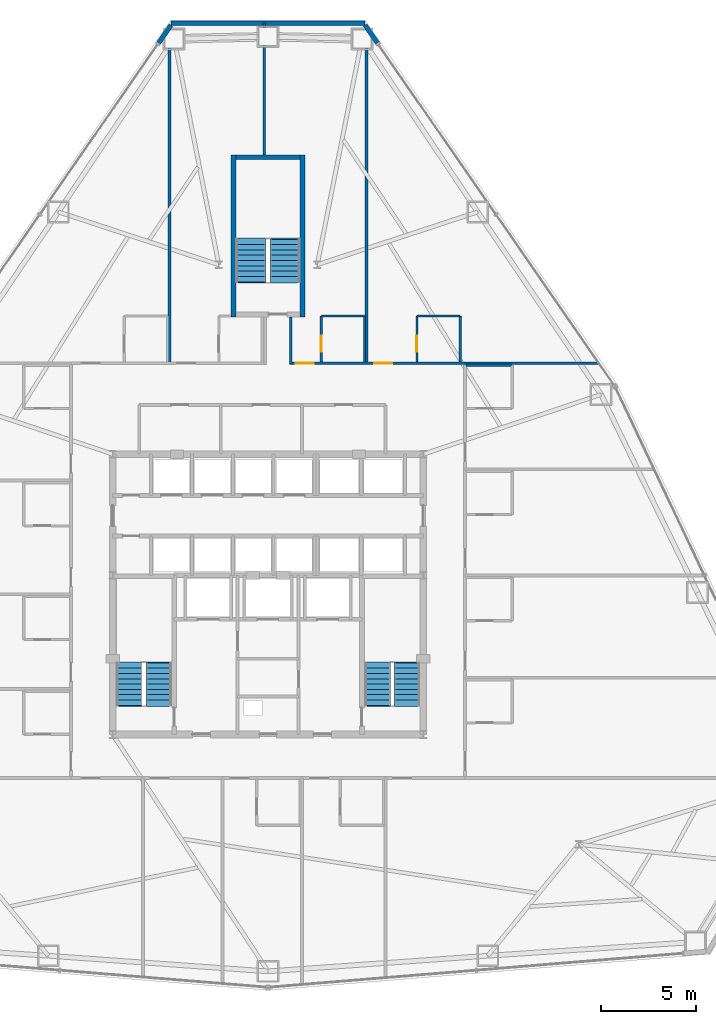
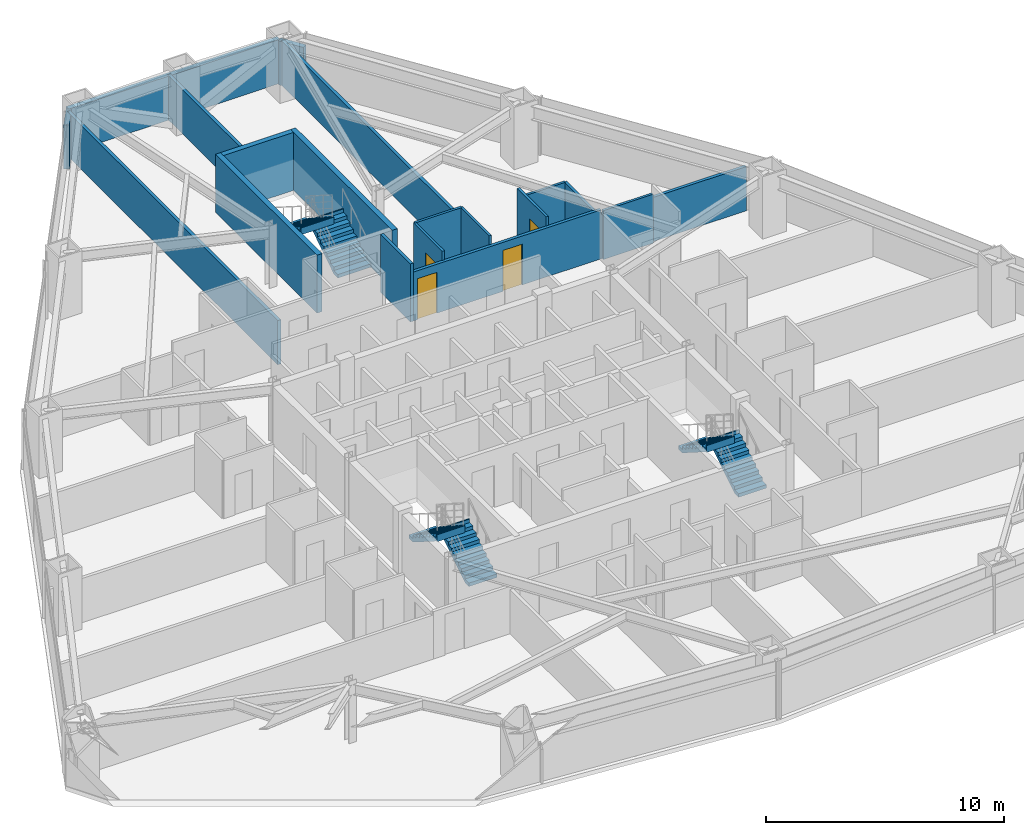
# One storey, part 12 of 13: 19 walls, 6 stair flights, 4 doors, 4 openings, 3 elements without a shape of their own.
"""IFC4 building model written with IfcOpenShell, lengths in metres."""

from ifc_helpers import new_model, si_unit, direction, frame, frame_2d, origin, place, context, subcontext, project, spatial, polyline, rectangle, outline, extrude, material, layer, layer_set, type_object, element, fill, aggregate, save


model = new_model("IFC4")

# Units and contexts
model_context = context("Model", 3, precision=1e-05, world=origin(), true_north=direction((0.0, 1.0)))
body_context = subcontext(model_context, "Body", "Model", "MODEL_VIEW")
ifc_project = project(units=[si_unit("LENGTHUNIT", "METRE"), si_unit("AREAUNIT", "SQUARE_METRE"), si_unit("VOLUMEUNIT", "CUBIC_METRE"), si_unit("PLANEANGLEUNIT", "RADIAN"), si_unit("MASSUNIT", "GRAM", prefix="KILO")], contexts=[model_context])

# Site, building, storey
site_placement = place(None, origin())
site = spatial("IfcSite", under=ifc_project, at=site_placement, CompositionType="ELEMENT")
building_placement = place(site_placement, origin())
building = spatial("IfcBuilding", under=site, at=building_placement, Name="Varakhsha Concourse Tower", CompositionType="ELEMENT")
storey_placement = place(building_placement, frame((0.0, 0.0, 49.60009765625)))
storey = spatial("IfcBuildingStorey", under=building, at=storey_placement, Name="L13", CompositionType="ELEMENT", Elevation=49.60009765625)

# Walls
ifc_material_1 = material(Name="Concrete fc 45 MPa", Category="concrete")
ifc_layer_1 = layer(ifc_material_1, 0.239990234375, Name="WL-EXT-CRN-240")
ifc_layer_set_1 = layer_set([ifc_layer_1], Name="Concrete fc 45 MPa")
wall_type_1 = type_object("IfcWallType", Name="WL-EXT-CRN-240", PredefinedType="SHEAR", material=ifc_layer_set_1)
wall_1_placement = place(storey_placement, frame((34.87158203125, 53.95703125, 0.0), z_axis=(0.0, 0.0, 1.0), x_axis=(1.0, 0.0, 0.0)))
element("IfcWall", 1, at=wall_1_placement, inside=storey, type_object=wall_type_1, Name="L13 Chamfer Wind-Corner Insulated Wall F1", PredefinedType="SHEAR", context=body_context, shape_type="SweptSolid", body=[
    extrude(rectangle(XDim=10.2568359375, YDim=0.239990234375, at=frame_2d((5.12841796875, 0.0))), origin(), (0.0, 0.0, 1.0), 2.262939453125),
])
for number, where, z_axis, x_axis, name in (
    (2, (34.8779296875, 53.84521484375, 0.0), (0.0, 0.0, 1.0), (-0.569057100516, -0.822298009454, 0.0), "L13 Wind-Corner Shoulder Wall F2"),
    (3, (45.78369140625, 52.88916015625, 0.0), (0.0, 0.0, 1.0), (-0.569057100516, 0.822298009454, 0.0), "L13 Wind-Corner Shoulder Wall F9"),
):
    element("IfcWall", number, at=place(storey_placement, frame(where, z_axis=z_axis, x_axis=x_axis)), inside=storey, type_object=wall_type_1, Name=name, PredefinedType="SHEAR", context=body_context, shape_type="SweptSolid", body=[
        extrude(rectangle(XDim=1.16259765625, YDim=0.239990234375, at=frame_2d((0.581298828125, 0.0))), origin(), (0.0, 0.0, 1.0), 2.262939453125),
    ])
ifc_material_2 = material(Name="Acoustic Gypsum Board Partition Assembly", Category="gypsum")
ifc_layer_2 = layer(ifc_material_2, 0.1201171875, Name="WL-PART-120")
ifc_layer_set_2 = layer_set([ifc_layer_2], Name="Acoustic Gypsum Board Partition Assembly")
wall_type_2 = type_object("IfcWallType", Name="WL-PART-120", PredefinedType="PARTITIONING", material=ifc_layer_set_2)
wall_2_placement = place(storey_placement, frame((50.4599609375, 35.889892578125, 0.0), z_axis=(0.0, 0.0, 1.0), x_axis=(1.0, 0.0, 0.0)))
element("IfcWall", 4, at=wall_2_placement, inside=storey, type_object=wall_type_2, Name="L13 Wall ENSW-N-L13-H13", PredefinedType="PARTITIONING", context=body_context, shape_type="SweptSolid", body=[
    extrude(rectangle(XDim=2.429931640625, YDim=0.1201171875, at=frame_2d((1.21484375, 0.0))), origin(), (0.0, 0.0, 1.0), 2.512939453125),
])

# Wall, opening, door
wall_3_placement = place(storey_placement, frame((42.81005859375, 36.06005859375, 0.0), z_axis=(0.0, 0.0, 1.0), x_axis=(0.0, 1.0, 0.0)))
wall_3 = element("IfcWall", 5, at=wall_3_placement, inside=storey, type_object=wall_type_2, Name="L13 Wall ENSW-W-L13-H16", PredefinedType="PARTITIONING", context=body_context, shape_type="SweptSolid", body=[
    extrude(rectangle(XDim=2.429931640625, YDim=0.1201171875, at=frame_2d((1.21484375, 0.0))), origin(), (0.0, 0.0, 1.0), 2.97998046875),
])
opening_1_placement = place(wall_3_placement, frame((0.550048828125, 0.0, 0.0)))
opening_1 = element("IfcOpeningElement", 6, at=opening_1_placement, cuts=wall_3, Name="Opening DI-01", PredefinedType="OPENING", context=body_context, shape_type="SweptSolid", body=[
    extrude(rectangle(XDim=0.85009765625, YDim=2.050048828125, at=frame_2d((0.425048828125, 1.02490234375))), frame((0.0, 0.070068359375, 0.0), z_axis=(0.0, -1.0, 0.0), x_axis=(1.0, 0.0, 0.0)), (0.0, 0.0, 1.0), 0.14013671875),
])
ifc_material_3 = material(Name="Architectural Walnut Acoustic Timber Door", Category="wood")
door_type_1 = type_object("IfcDoorType", Name="DR-INT-850", OperationType="NOTDEFINED", PredefinedType="DOOR", material=ifc_material_3)
door_1_placement = place(opening_1_placement, origin())
door_1 = element("IfcDoor", 7, at=door_1_placement, inside=storey, type_object=door_type_1, Name="L13 En-suite Bathroom Door L13-H16", OperationType="SINGLE_SWING_RIGHT", OverallHeight=2.050048828125, OverallWidth=0.85009765625, PredefinedType="DOOR", context=body_context, shape_type="SweptSolid", body=[
    extrude(rectangle(XDim=0.85009765625, YDim=2.050048828125, at=frame_2d((0.425048828125, 1.02490234375))), frame((0.0, 0.02490234375, 0.0), z_axis=(0.0, -1.0, 0.0), x_axis=(1.0, 0.0, 0.0)), (0.0, 0.0, 1.0), 0.050048828125),
])
fill(opening_1, door_1)

# Walls
wall_4_placement = place(storey_placement, frame((45.090087890625, 36.06005859375, 0.0), z_axis=(0.0, 0.0, 1.0), x_axis=(0.0, 1.0, 0.0)))
element("IfcWall", 8, at=wall_4_placement, inside=storey, type_object=wall_type_2, Name="L13 Wall ENSW-E-L13-H16", PredefinedType="PARTITIONING", context=body_context, shape_type="SweptSolid", body=[
    extrude(rectangle(XDim=2.429931640625, YDim=0.1201171875, at=frame_2d((1.21484375, 0.0))), origin(), (0.0, 0.0, 1.0), 2.97998046875),
])
wall_5_placement = place(storey_placement, frame((42.81005859375, 38.489990234375, 0.0), z_axis=(0.0, 0.0, 1.0), x_axis=(1.0, 0.0, 0.0)))
element("IfcWall", 9, at=wall_5_placement, inside=storey, type_object=wall_type_2, Name="L13 Wall ENSW-N-L13-H16", PredefinedType="PARTITIONING", context=body_context, shape_type="SweptSolid", body=[
    extrude(rectangle(XDim=2.280029296875, YDim=0.1201171875, at=frame_2d((1.14013671875, 0.0))), origin(), (0.0, 0.0, 1.0), 2.97998046875),
])

# Wall, opening, door
wall_6_placement = place(storey_placement, frame((47.860107421875, 36.06005859375, 0.0), z_axis=(0.0, 0.0, 1.0), x_axis=(0.0, 1.0, 0.0)))
wall_6 = element("IfcWall", 10, at=wall_6_placement, inside=storey, type_object=wall_type_2, Name="L13 Wall ENSW-W-L13-H17", PredefinedType="PARTITIONING", context=body_context, shape_type="SweptSolid", body=[
    extrude(rectangle(XDim=2.429931640625, YDim=0.1201171875, at=frame_2d((1.21484375, 0.0))), origin(), (0.0, 0.0, 1.0), 2.97998046875),
])
opening_2_placement = place(wall_6_placement, frame((0.550048828125, 0.0, 0.0)))
opening_2 = element("IfcOpeningElement", 11, at=opening_2_placement, cuts=wall_6, Name="Opening DI-01", PredefinedType="OPENING", context=body_context, shape_type="SweptSolid", body=[
    extrude(rectangle(XDim=0.85009765625, YDim=2.050048828125, at=frame_2d((0.425048828125, 1.02490234375))), frame((0.0, 0.070068359375, 0.0), z_axis=(0.0, -1.0, 0.0), x_axis=(1.0, 0.0, 0.0)), (0.0, 0.0, 1.0), 0.14013671875),
])
door_2_placement = place(opening_2_placement, origin())
door_2 = element("IfcDoor", 12, at=door_2_placement, inside=storey, type_object=door_type_1, Name="L13 En-suite Bathroom Door L13-H17", OperationType="SINGLE_SWING_RIGHT", OverallHeight=2.050048828125, OverallWidth=0.85009765625, PredefinedType="DOOR", context=body_context, shape_type="SweptSolid", body=[
    extrude(rectangle(XDim=0.85009765625, YDim=2.050048828125, at=frame_2d((0.425048828125, 1.02490234375))), frame((0.0, 0.02490234375, 0.0), z_axis=(0.0, -1.0, 0.0), x_axis=(1.0, 0.0, 0.0)), (0.0, 0.0, 1.0), 0.050048828125),
])
fill(opening_2, door_2)

# Walls
wall_7_placement = place(storey_placement, frame((50.139892578125, 36.06005859375, 0.0), z_axis=(0.0, 0.0, 1.0), x_axis=(0.0, 1.0, 0.0)))
element("IfcWall", 13, at=wall_7_placement, inside=storey, type_object=wall_type_2, Name="L13 Wall ENSW-E-L13-H17", PredefinedType="PARTITIONING", context=body_context, shape_type="SweptSolid", body=[
    extrude(rectangle(XDim=2.429931640625, YDim=0.1201171875, at=frame_2d((1.21484375, 0.0))), origin(), (0.0, 0.0, 1.0), 2.512939453125),
])
wall_8_placement = place(storey_placement, frame((47.860107421875, 38.489990234375, 0.0), z_axis=(0.0, 0.0, 1.0), x_axis=(1.0, 0.0, 0.0)))
element("IfcWall", 14, at=wall_8_placement, inside=storey, type_object=wall_type_2, Name="L13 Wall ENSW-N-L13-H17", PredefinedType="PARTITIONING", context=body_context, shape_type="SweptSolid", body=[
    extrude(rectangle(XDim=2.27978515625, YDim=0.1201171875, at=frame_2d((1.139892578125, 0.0))), origin(), (0.0, 0.0, 1.0), 2.512939453125),
])

# Wall, openings, doors
ifc_material_4 = material(Name="Fire-Rated Type X Gypsum Partition Assembly", Category="gypsum")
ifc_layer_3 = layer(ifc_material_4, 0.14990234375, Name="WL-PART-150")
ifc_layer_set_3 = layer_set([ifc_layer_3], Name="Fire-Rated Type X Gypsum Partition Assembly")
wall_type_3 = type_object("IfcWallType", Name="WL-PART-150", PredefinedType="PARTITIONING", material=ifc_layer_set_3)
wall_9_placement = place(storey_placement, frame((41.27490234375, 36.0, 0.0), z_axis=(0.0, 0.0, 1.0), x_axis=(1.0, 0.0, 0.0)))
wall_9 = element("IfcWall", 15, at=wall_9_placement, inside=storey, type_object=wall_type_3, Name="L13 Wall CRW-N-L13-B", PredefinedType="PARTITIONING", context=body_context, shape_type="SweptSolid", body=[
    extrude(rectangle(XDim=9.125, YDim=0.14990234375, at=frame_2d((4.5625, 0.0))), origin(), (0.0, 0.0, 1.0), 2.512939453125),
])
opening_3_placement = place(wall_9_placement, frame((0.199951171875, 0.0, 0.0)))
opening_3 = element("IfcOpeningElement", 16, at=opening_3_placement, cuts=wall_9, Name="Opening DF-05", PredefinedType="OPENING", context=body_context, shape_type="SweptSolid", body=[
    extrude(rectangle(XDim=0.949951171875, YDim=2.10009765625, at=frame_2d((0.47509765625, 1.050048828125))), frame((0.0, 0.0849609375, 0.0), z_axis=(0.0, -1.0, 0.0), x_axis=(1.0, 0.0, 0.0)), (0.0, 0.0, 1.0), 0.169921875),
])
opening_4_placement = place(wall_9_placement, frame((4.344970703125, 0.0, 0.0)))
opening_4 = element("IfcOpeningElement", 17, at=opening_4_placement, cuts=wall_9, Name="Opening DF-05", PredefinedType="OPENING", context=body_context, shape_type="SweptSolid", body=[
    extrude(rectangle(XDim=0.949951171875, YDim=2.10009765625, at=frame_2d((0.47509765625, 1.050048828125))), frame((0.0, 0.0849609375, 0.0), z_axis=(0.0, -1.0, 0.0), x_axis=(1.0, 0.0, 0.0)), (0.0, 0.0, 1.0), 0.169921875),
])
ifc_material_5 = material(Name="Hollow Galvanised Steel Fire Door Assembly", Category="steel")
door_type_2 = type_object("IfcDoorType", Name="DR-FD60-950", OperationType="NOTDEFINED", PredefinedType="DOOR", material=ifc_material_5)
door_3_placement = place(opening_3_placement, origin())
door_3 = element("IfcDoor", 18, at=door_3_placement, inside=storey, type_object=door_type_2, Name="L13 Hotel Corner Suite L13-H16 Entry Door", OperationType="SINGLE_SWING_RIGHT", OverallHeight=2.10009765625, OverallWidth=0.949951171875, PredefinedType="DOOR", context=body_context, shape_type="SweptSolid", body=[
    extrude(rectangle(XDim=0.949951171875, YDim=2.10009765625, at=frame_2d((0.47509765625, 1.050048828125))), frame((0.0, 0.02490234375, 0.0), z_axis=(0.0, -1.0, 0.0), x_axis=(1.0, 0.0, 0.0)), (0.0, 0.0, 1.0), 0.050048828125),
])
fill(opening_3, door_3)
door_4_placement = place(opening_4_placement, origin())
door_4 = element("IfcDoor", 19, at=door_4_placement, inside=storey, type_object=door_type_2, Name="L13 Hotel Corner Suite L13-H17 Entry Door", OperationType="SINGLE_SWING_LEFT", OverallHeight=2.10009765625, OverallWidth=0.949951171875, PredefinedType="DOOR", context=body_context, shape_type="SweptSolid", body=[
    extrude(rectangle(XDim=0.949951171875, YDim=2.10009765625, at=frame_2d((0.47509765625, 1.050048828125))), frame((0.0, 0.02490234375, 0.0), z_axis=(0.0, -1.0, 0.0), x_axis=(1.0, 0.0, 0.0)), (0.0, 0.0, 1.0), 0.050048828125),
])
fill(opening_4, door_4)

# Walls
wall_10_placement = place(storey_placement, frame((50.39990234375, 36.0, 0.0), z_axis=(0.0, 0.0, 1.0), x_axis=(1.0, 0.0, 0.0)))
element("IfcWall", 20, at=wall_10_placement, inside=storey, type_object=wall_type_3, Name="L13 Wall HDIV-EBN-L13", PredefinedType="PARTITIONING", context=body_context, shape_type="SweptSolid", body=[
    extrude(rectangle(XDim=7.0654296875, YDim=0.14990234375, at=frame_2d((3.53271484375, 0.0))), origin(), (0.0, 0.0, 1.0), 2.267822265625),
])
wall_11_placement = place(storey_placement, frame((34.800048828125, 36.0, 0.0), z_axis=(0.0, 0.0, 1.0), x_axis=(0.0, 1.0, 0.0)))
element("IfcWall", 21, at=wall_11_placement, inside=storey, type_object=wall_type_3, Name="L13 Wall HDIV-N1-L13", PredefinedType="PARTITIONING", context=body_context, shape_type="SweptSolid", body=[
    extrude(rectangle(XDim=17.723876953125, YDim=0.14990234375, at=frame_2d((8.86181640625, 0.0))), origin(), (0.0, 0.0, 1.0), 2.267822265625),
])
wall_12_placement = place(storey_placement, frame((39.800048828125, 47.0, 0.0), z_axis=(0.0, 0.0, 1.0), x_axis=(0.0, 1.0, 0.0)))
element("IfcWall", 22, at=wall_12_placement, inside=storey, type_object=wall_type_3, Name="L13 Wall HDIV-N2-L13", PredefinedType="PARTITIONING", context=body_context, shape_type="SweptSolid", body=[
    extrude(rectangle(XDim=6.9521484375, YDim=0.14990234375, at=frame_2d((3.47607421875, 0.0))), origin(), (0.0, 0.0, 1.0), 2.267822265625),
])
wall_13_placement = place(storey_placement, frame((45.199951171875, 36.0, 0.0), z_axis=(0.0, 0.0, 1.0), x_axis=(0.0, 1.0, 0.0)))
element("IfcWall", 23, at=wall_13_placement, inside=storey, type_object=wall_type_3, Name="L13 Wall HDIV-N3-L13", PredefinedType="PARTITIONING", context=body_context, shape_type="SweptSolid", body=[
    extrude(rectangle(XDim=17.723876953125, YDim=0.14990234375, at=frame_2d((8.86181640625, 0.0))), origin(), (0.0, 0.0, 1.0), 2.267822265625),
])
wall_14_placement = place(storey_placement, frame((41.199951171875, 35.925048828125, 0.0), z_axis=(0.0, 0.0, 1.0), x_axis=(0.0, 1.0, 0.0)))
element("IfcWall", 24, at=wall_14_placement, inside=storey, type_object=wall_type_3, Name="L13 Wall STUB-E-L13", PredefinedType="PARTITIONING", context=body_context, shape_type="SweptSolid", body=[
    extrude(rectangle(XDim=2.52490234375, YDim=0.14990234375, at=frame_2d((1.262451171875, 0.0))), origin(), (0.0, 0.0, 1.0), 2.97998046875),
])
ifc_layer_4 = layer(ifc_material_1, 0.25, Name="WL-STAIR-250")
ifc_layer_set_4 = layer_set([ifc_layer_4], Name="Concrete fc 45 MPa")
wall_type_4 = type_object("IfcWallType", Name="WL-STAIR-250", PredefinedType="SHEAR", material=ifc_layer_set_4)
for number, where, z_axis, x_axis, name in (
    (25, (38.175048828125, 38.449951171875, 0.0), (0.0, 0.0, 1.0), (0.0, 1.0, 0.0), "L13 Wall SWALL-ST5-W-L13"),
    (26, (41.824951171875, 38.449951171875, 0.0), (0.0, 0.0, 1.0), (0.0, 1.0, 0.0), "L13 Wall SWALL-ST5-E-L13"),
):
    element("IfcWall", number, at=place(storey_placement, frame(where, z_axis=z_axis, x_axis=x_axis)), inside=storey, type_object=wall_type_4, Name=name, PredefinedType="SHEAR", context=body_context, shape_type="SweptSolid", body=[
        extrude(rectangle(XDim=8.550048828125, YDim=0.25, at=frame_2d((4.27490234375, 0.0))), origin(), (0.0, 0.0, 1.0), 2.97998046875),
    ])
wall_15_placement = place(storey_placement, frame((38.300048828125, 46.875, 0.0), z_axis=(0.0, 0.0, 1.0), x_axis=(1.0, 0.0, 0.0)))
element("IfcWall", 27, at=wall_15_placement, inside=storey, type_object=wall_type_4, Name="L13 Wall SWALL-ST5-N-L13", PredefinedType="SHEAR", context=body_context, shape_type="SweptSolid", body=[
    extrude(rectangle(XDim=3.39990234375, YDim=0.25, at=frame_2d((1.699951171875, 0.0))), origin(), (0.0, 0.0, 1.0), 2.97998046875),
])

# Stair, stair flights
stair_type_1 = type_object("IfcStairType", Name="ST-DOGLEG-1360", PredefinedType="HALF_TURN_STAIR", material=ifc_material_1)
stair_1_placement = place(storey_placement, origin())
stair_1 = element("IfcStair", 28, at=stair_1_placement, inside=storey, type_object=stair_type_1, Name="L13 Protected Exit Stair ST1", PredefinedType="HALF_TURN_STAIR")
stair_flight_type_1 = type_object("IfcStairFlightType", Name="STF-1360-R1778", PredefinedType="STRAIGHT", material=ifc_material_1)
stair_flight_1_placement = place(storey_placement, frame((34.239990234375, 17.93994140625, 0.0), z_axis=(0.0, 0.0, 1.0), x_axis=(0.0, 1.0, 0.0)))
stair_flight_1 = element("IfcStairFlight", 29, at=stair_flight_1_placement, type_object=stair_flight_type_1, Name="ST1 flight 1", NumberOfRisers=9, NumberOfTreads=8, PredefinedType="STRAIGHT", RiserHeight=0.177777778, TreadLength=0.28, context=body_context, shape_type="SweptSolid", body=[
    extrude(outline(polyline([(-0.06005859375, 0.0), (-0.06005859375, 0.177734375), (0.0, 0.177734375), (0.280029296875, 0.177734375), (0.280029296875, 0.35546875), (0.56005859375, 0.35546875), (0.56005859375, 0.533447265625), (0.840087890625, 0.533447265625), (0.840087890625, 0.711181640625), (1.1201171875, 0.711181640625), (1.1201171875, 0.888916015625), (1.39990234375, 0.888916015625), (1.39990234375, 1.066650390625), (1.679931640625, 1.066650390625), (1.679931640625, 1.244384765625), (1.9599609375, 1.244384765625), (1.9599609375, 1.422119140625), (2.239990234375, 1.422119140625), (2.239990234375, 1.60009765625), (2.300048828125, 1.60009765625), (2.300048828125, 1.24462890625), (2.239990234375, 1.24462890625), (0.27978515625, 0.0), (-0.06005859375, 0.0)])), frame((0.0, 0.68017578125, 0.0), z_axis=(0.0, -1.0, 0.0), x_axis=(1.0, 0.0, 0.0)), (0.0, 0.0, 1.0), 1.360107421875),
])
stair_flight_2_placement = place(storey_placement, frame((32.679931640625, 20.179931640625, 1.599853515625), z_axis=(0.0, 0.0, 1.0), x_axis=(0.0, -1.0, 0.0)))
stair_flight_2 = element("IfcStairFlight", 30, at=stair_flight_2_placement, type_object=stair_flight_type_1, Name="ST1 flight 2", NumberOfRisers=9, NumberOfTreads=8, PredefinedType="STRAIGHT", RiserHeight=0.177777778, TreadLength=0.28, context=body_context, shape_type="SweptSolid", body=[
    extrude(outline(polyline([(-0.06005859375, 0.0), (-0.06005859375, 0.177734375), (0.0, 0.177734375), (0.280029296875, 0.177734375), (0.280029296875, 0.35546875), (0.56005859375, 0.35546875), (0.56005859375, 0.533447265625), (0.840087890625, 0.533447265625), (0.840087890625, 0.711181640625), (1.1201171875, 0.711181640625), (1.1201171875, 0.888916015625), (1.39990234375, 0.888916015625), (1.39990234375, 1.066650390625), (1.679931640625, 1.066650390625), (1.679931640625, 1.244384765625), (1.9599609375, 1.244384765625), (1.9599609375, 1.422119140625), (2.239990234375, 1.422119140625), (2.239990234375, 1.60009765625), (2.300048828125, 1.60009765625), (2.300048828125, 1.24462890625), (2.239990234375, 1.24462890625), (0.27978515625, 0.0), (-0.06005859375, 0.0)])), frame((0.0, 0.68017578125, 0.0), z_axis=(0.0, -1.0, 0.0), x_axis=(1.0, 0.0, 0.0)), (0.0, 0.0, 1.0), 1.360107421875),
])
aggregate(stair_1, [stair_flight_1, stair_flight_2])

stair_2_placement = place(storey_placement, origin())
stair_2 = element("IfcStair", 31, at=stair_2_placement, inside=storey, type_object=stair_type_1, Name="L13 Protected Exit Stair ST2", PredefinedType="HALF_TURN_STAIR")
stair_flight_3_placement = place(storey_placement, frame((47.340087890625, 17.93994140625, 0.0), z_axis=(0.0, 0.0, 1.0), x_axis=(0.0, 1.0, 0.0)))
stair_flight_3 = element("IfcStairFlight", 32, at=stair_flight_3_placement, type_object=stair_flight_type_1, Name="ST2 flight 1", NumberOfRisers=9, NumberOfTreads=8, PredefinedType="STRAIGHT", RiserHeight=0.177777778, TreadLength=0.28, context=body_context, shape_type="SweptSolid", body=[
    extrude(outline(polyline([(-0.06005859375, 0.0), (-0.06005859375, 0.177734375), (0.0, 0.177734375), (0.280029296875, 0.177734375), (0.280029296875, 0.35546875), (0.56005859375, 0.35546875), (0.56005859375, 0.533447265625), (0.840087890625, 0.533447265625), (0.840087890625, 0.711181640625), (1.1201171875, 0.711181640625), (1.1201171875, 0.888916015625), (1.39990234375, 0.888916015625), (1.39990234375, 1.066650390625), (1.679931640625, 1.066650390625), (1.679931640625, 1.244384765625), (1.9599609375, 1.244384765625), (1.9599609375, 1.422119140625), (2.239990234375, 1.422119140625), (2.239990234375, 1.60009765625), (2.300048828125, 1.60009765625), (2.300048828125, 1.24462890625), (2.239990234375, 1.24462890625), (0.27978515625, 0.0), (-0.06005859375, 0.0)])), frame((0.0, 0.68017578125, 0.0), z_axis=(0.0, -1.0, 0.0), x_axis=(1.0, 0.0, 0.0)), (0.0, 0.0, 1.0), 1.360107421875),
])
stair_flight_4_placement = place(storey_placement, frame((45.780029296875, 20.179931640625, 1.599853515625), z_axis=(0.0, 0.0, 1.0), x_axis=(0.0, -1.0, 0.0)))
stair_flight_4 = element("IfcStairFlight", 33, at=stair_flight_4_placement, type_object=stair_flight_type_1, Name="ST2 flight 2", NumberOfRisers=9, NumberOfTreads=8, PredefinedType="STRAIGHT", RiserHeight=0.177777778, TreadLength=0.28, context=body_context, shape_type="SweptSolid", body=[
    extrude(outline(polyline([(-0.06005859375, 0.0), (-0.06005859375, 0.177734375), (0.0, 0.177734375), (0.280029296875, 0.177734375), (0.280029296875, 0.35546875), (0.56005859375, 0.35546875), (0.56005859375, 0.533447265625), (0.840087890625, 0.533447265625), (0.840087890625, 0.711181640625), (1.1201171875, 0.711181640625), (1.1201171875, 0.888916015625), (1.39990234375, 0.888916015625), (1.39990234375, 1.066650390625), (1.679931640625, 1.066650390625), (1.679931640625, 1.244384765625), (1.9599609375, 1.244384765625), (1.9599609375, 1.422119140625), (2.239990234375, 1.422119140625), (2.239990234375, 1.60009765625), (2.300048828125, 1.60009765625), (2.300048828125, 1.24462890625), (2.239990234375, 1.24462890625), (0.27978515625, 0.0), (-0.06005859375, 0.0)])), frame((0.0, 0.68017578125, 0.0), z_axis=(0.0, -1.0, 0.0), x_axis=(1.0, 0.0, 0.0)), (0.0, 0.0, 1.0), 1.360107421875),
])
aggregate(stair_2, [stair_flight_3, stair_flight_4])

stair_type_2 = type_object("IfcStairType", Name="ST-DOGLEG-1600", PredefinedType="HALF_TURN_STAIR", material=ifc_material_1)
stair_3_placement = place(storey_placement, origin())
stair_3 = element("IfcStair", 34, at=stair_3_placement, inside=storey, type_object=stair_type_2, Name="L13 Protected Exit Stair ST5", PredefinedType="HALF_TURN_STAIR")
stair_flight_type_2 = type_object("IfcStairFlightType", Name="STF-1600-R1778", PredefinedType="STRAIGHT", material=ifc_material_1)
stair_flight_5_placement = place(storey_placement, frame((40.89990234375, 40.300048828125, 0.0), z_axis=(0.0, 0.0, 1.0), x_axis=(0.0, 1.0, 0.0)))
stair_flight_5 = element("IfcStairFlight", 35, at=stair_flight_5_placement, type_object=stair_flight_type_2, Name="ST5 flight 1", NumberOfRisers=9, NumberOfTreads=8, PredefinedType="STRAIGHT", RiserHeight=0.177777778, TreadLength=0.28, context=body_context, shape_type="SweptSolid", body=[
    extrude(outline(polyline([(-0.06005859375, 0.0), (-0.06005859375, 0.177734375), (0.0, 0.177734375), (0.280029296875, 0.177734375), (0.280029296875, 0.35546875), (0.56005859375, 0.35546875), (0.56005859375, 0.533447265625), (0.840087890625, 0.533447265625), (0.840087890625, 0.711181640625), (1.1201171875, 0.711181640625), (1.1201171875, 0.888916015625), (1.39990234375, 0.888916015625), (1.39990234375, 1.066650390625), (1.679931640625, 1.066650390625), (1.679931640625, 1.244384765625), (1.9599609375, 1.244384765625), (1.9599609375, 1.422119140625), (2.239990234375, 1.422119140625), (2.239990234375, 1.60009765625), (2.300048828125, 1.60009765625), (2.300048828125, 1.24462890625), (2.239990234375, 1.24462890625), (0.27978515625, 0.0), (-0.06005859375, 0.0)])), frame((0.0, 0.800048828125, 0.0), z_axis=(0.0, -1.0, 0.0), x_axis=(1.0, 0.0, 0.0)), (0.0, 0.0, 1.0), 1.60009765625),
])
stair_flight_6_placement = place(storey_placement, frame((39.10009765625, 42.5400390625, 1.599853515625), z_axis=(0.0, 0.0, 1.0), x_axis=(0.0, -1.0, 0.0)))
stair_flight_6 = element("IfcStairFlight", 36, at=stair_flight_6_placement, type_object=stair_flight_type_2, Name="ST5 flight 2", NumberOfRisers=9, NumberOfTreads=8, PredefinedType="STRAIGHT", RiserHeight=0.177777778, TreadLength=0.28, context=body_context, shape_type="SweptSolid", body=[
    extrude(outline(polyline([(-0.06005859375, 0.0), (-0.06005859375, 0.177734375), (0.0, 0.177734375), (0.280029296875, 0.177734375), (0.280029296875, 0.35546875), (0.56005859375, 0.35546875), (0.56005859375, 0.533447265625), (0.840087890625, 0.533447265625), (0.840087890625, 0.711181640625), (1.1201171875, 0.711181640625), (1.1201171875, 0.888916015625), (1.39990234375, 0.888916015625), (1.39990234375, 1.066650390625), (1.679931640625, 1.066650390625), (1.679931640625, 1.244384765625), (1.9599609375, 1.244384765625), (1.9599609375, 1.422119140625), (2.239990234375, 1.422119140625), (2.239990234375, 1.60009765625), (2.300048828125, 1.60009765625), (2.300048828125, 1.24462890625), (2.239990234375, 1.24462890625), (0.27978515625, 0.0), (-0.06005859375, 0.0)])), frame((0.0, 0.800048828125, 0.0), z_axis=(0.0, -1.0, 0.0), x_axis=(1.0, 0.0, 0.0)), (0.0, 0.0, 1.0), 1.60009765625),
])
aggregate(stair_3, [stair_flight_5, stair_flight_6])

save(model, "model.ifc")
